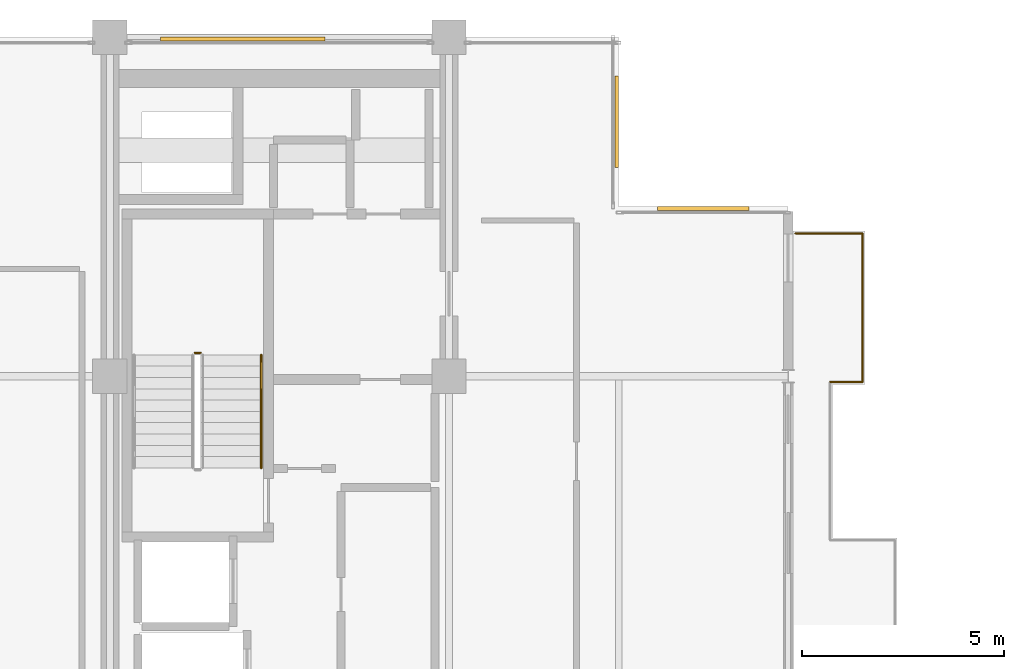
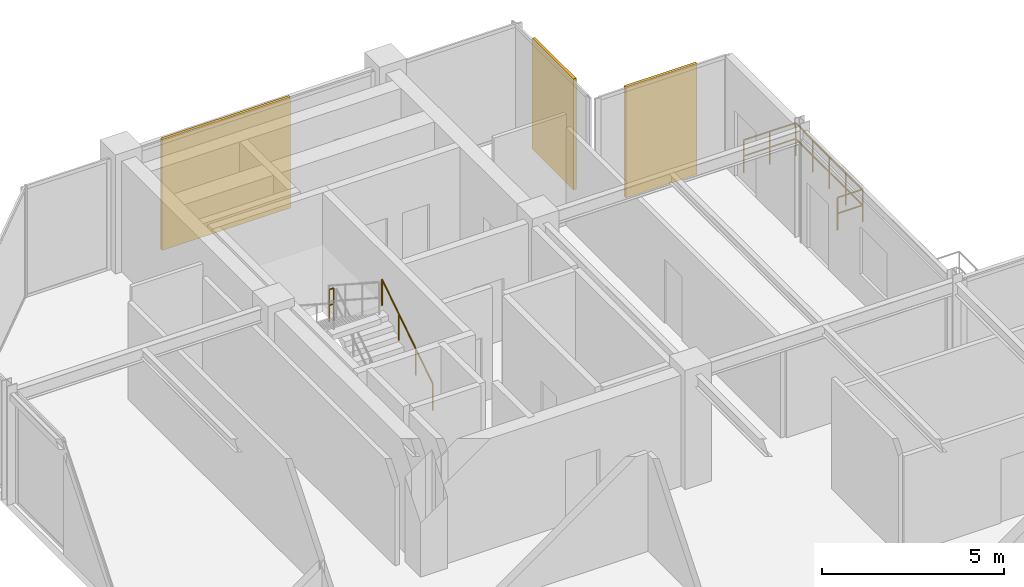
# One storey, part 26 of 26: 5 railings, 3 coverings.
"""IFC4 building model written with IfcOpenShell, lengths in metres."""

from ifc_helpers import new_model, si_unit, direction, frame, origin, origin_2d, place, context, subcontext, project, spatial, rectangle, circle, extrude, material, layer, layer_set, type_object, element, save


model = new_model("IFC4")

# Units and contexts
model_context = context("Model", 3, precision=1e-05, world=origin(), true_north=direction((0.0, 1.0)))
body_context = subcontext(model_context, "Body", "Model", "MODEL_VIEW")
ifc_project = project(units=[si_unit("LENGTHUNIT", "METRE"), si_unit("AREAUNIT", "SQUARE_METRE"), si_unit("VOLUMEUNIT", "CUBIC_METRE"), si_unit("PLANEANGLEUNIT", "RADIAN"), si_unit("MASSUNIT", "GRAM", prefix="KILO")], contexts=[model_context])

# Site, building, storey
site_placement = place(None, origin())
site = spatial("IfcSite", under=ifc_project, at=site_placement, CompositionType="ELEMENT")
building_placement = place(site_placement, origin())
building = spatial("IfcBuilding", under=site, at=building_placement, Name="Nerrivon Quay Data Exchange", CompositionType="ELEMENT")
storey_placement = place(building_placement, frame((0.0, 0.0, 262.199951171875)))
storey = spatial("IfcBuildingStorey", under=building, at=storey_placement, Name="L62", CompositionType="ELEMENT", Elevation=262.199951171875)

# Coverings
ifc_material_1 = material(Name="Architectural terracotta ceramic", Category="masonry")
ifc_layer = layer(ifc_material_1, 0.090087890625)
ifc_layer_set = layer_set([ifc_layer], Name="Architectural terracotta ceramic")
covering_type = type_object("IfcCoveringType", Name="COV-SCR-TERR", PredefinedType="CLADDING", material=ifc_layer_set)
covering_placement = place(storey_placement, frame((11.694091796875, 41.955078125, 0.0), z_axis=(0.0, 0.0, 1.0), x_axis=(1.0, 0.0, 0.0)))
element("IfcCovering", 1, at=covering_placement, inside=storey, type_object=covering_type, Name="L62 Perforated Terracotta SOLAR SCREEN Cassette", PredefinedType="CLADDING", context=body_context, shape_type="SweptSolid", body=[
    extrude(rectangle(XDim=4.076904296875, YDim=0.090087890625, at=origin_2d()), origin(), (0.0, 0.0, 1.0), 3.72509765625),
])
for number, where, z_axis, x_axis, name in (
    (2, (20.955078125, 39.89990234375, 0.0), (0.0, 0.0, 1.0), (0.0, -1.0, 0.0), "L62 Perforated Terracotta SOLAR SCREEN Cassette"),
    (3, (23.10009765625, 37.7548828125, 0.0), (0.0, 0.0, 1.0), (1.0, 0.0, 0.0), "L62 Perforated Terracotta SOLAR SCREEN Cassette"),
):
    element("IfcCovering", number, at=place(storey_placement, frame(where, z_axis=z_axis, x_axis=x_axis)), inside=storey, type_object=covering_type, Name=name, PredefinedType="CLADDING", context=body_context, shape_type="SweptSolid", body=[
        extrude(rectangle(XDim=2.26806640625, YDim=0.090087890625, at=origin_2d()), origin(), (0.0, 0.0, 1.0), 3.72509765625),
    ])

# Railings
ifc_material_2 = material(Name="Steel Grade C350L0 (350 MPa)", Category="steel")
railing_type_1 = type_object("IfcRailingType", Name="RAIL-GUARD-GR2", PredefinedType="BALUSTRADE", material=ifc_material_2)
railing_1_placement = place(storey_placement, frame((25.3798828125, 37.139892578125, 0.0)))
element("IfcRailing", 4, at=railing_1_placement, inside=storey, type_object=railing_type_1, Name="L62 Verandah Balcony Guard 1.4 1", PredefinedType="BALUSTRADE", context=body_context, shape_type="SweptSolid", body=[
    extrude(circle(Radius=0.02392578125, at=origin_2d()), frame((0.0, 0.0, 1.09619140625), z_axis=(1.0, 0.0, 0.0), x_axis=(0.0, 1.0, 0.0)), (0.0, 0.0, 1.0), 1.66015625),
    extrude(circle(Radius=0.02392578125, at=origin_2d()), frame((0.0, 0.0, 0.56005859375), z_axis=(1.0, 0.0, 0.0), x_axis=(0.0, 1.0, 0.0)), (0.0, 0.0, 1.0), 1.66015625),
    extrude(circle(Radius=0.02099609375, at=origin_2d()), origin(), (0.0, 0.0, 1.0), 1.072021484375),
    extrude(circle(Radius=0.02099609375, at=origin_2d()), frame((0.830078125, 0.0, 0.0)), (0.0, 0.0, 1.0), 1.072021484375),
    extrude(circle(Radius=0.02099609375, at=origin_2d()), frame((1.66015625, 0.0, 0.0)), (0.0, 0.0, 1.0), 1.072021484375),
])
railing_2_placement = place(storey_placement, frame((27.0400390625, 37.139892578125, 0.0)))
element("IfcRailing", 5, at=railing_2_placement, inside=storey, type_object=railing_type_1, Name="L62 Verandah Balcony Guard 1.5 1", PredefinedType="BALUSTRADE", context=body_context, shape_type="SweptSolid", body=[
    extrude(circle(Radius=0.02392578125, at=origin_2d()), frame((0.0, 0.0, 1.09619140625), z_axis=(0.0, -1.0, 0.0), x_axis=(1.0, 0.0, 0.0)), (0.0, 0.0, 1.0), 3.679931640625),
    extrude(circle(Radius=0.02392578125, at=origin_2d()), frame((0.0, 0.0, 0.56005859375), z_axis=(0.0, -1.0, 0.0), x_axis=(1.0, 0.0, 0.0)), (0.0, 0.0, 1.0), 3.679931640625),
    extrude(circle(Radius=0.02099609375, at=origin_2d()), origin(), (0.0, 0.0, 1.0), 1.072021484375),
    extrude(circle(Radius=0.02099609375, at=origin_2d()), frame((0.0, -0.919921875, 0.0)), (0.0, 0.0, 1.0), 1.072021484375),
    extrude(circle(Radius=0.02099609375, at=origin_2d()), frame((0.0, -1.83984375, 0.0)), (0.0, 0.0, 1.0), 1.072021484375),
    extrude(circle(Radius=0.02099609375, at=origin_2d()), frame((0.0, -2.760009765625, 0.0)), (0.0, 0.0, 1.0), 1.072021484375),
    extrude(circle(Radius=0.02099609375, at=origin_2d()), frame((0.0, -3.679931640625, 0.0)), (0.0, 0.0, 1.0), 1.072021484375),
])
railing_3_placement = place(storey_placement, frame((27.0400390625, 33.4599609375, 0.0)))
element("IfcRailing", 6, at=railing_3_placement, inside=storey, type_object=railing_type_1, Name="L62 Verandah Balcony Guard 1.6 1", PredefinedType="BALUSTRADE", context=body_context, shape_type="SweptSolid", body=[
    extrude(circle(Radius=0.02392578125, at=origin_2d()), frame((0.0, 0.0, 1.09619140625), z_axis=(-1.0, 0.0, 0.0), x_axis=(0.0, -1.0, 0.0)), (0.0, 0.0, 1.0), 0.800048828125),
    extrude(circle(Radius=0.02392578125, at=origin_2d()), frame((0.0, 0.0, 0.56005859375), z_axis=(-1.0, 0.0, 0.0), x_axis=(0.0, -1.0, 0.0)), (0.0, 0.0, 1.0), 0.800048828125),
    extrude(circle(Radius=0.02099609375, at=origin_2d()), origin(), (0.0, 0.0, 1.0), 1.072021484375),
    extrude(circle(Radius=0.02099609375, at=origin_2d()), frame((-0.800048828125, 0.0, 0.0)), (0.0, 0.0, 1.0), 1.072021484375),
])
railing_type_2 = type_object("IfcRailingType", Name="RAIL-HAND-HR1", PredefinedType="HANDRAIL", material=ifc_material_2)
railing_4_placement = place(storey_placement, frame((12.14990234375, 31.330078125, 0.181884765625)))
element("IfcRailing", 7, at=railing_4_placement, inside=storey, type_object=railing_type_2, Name="L62 ST01 stair handrail 1", PredefinedType="HANDRAIL", context=body_context, shape_type="SweptSolid", body=[
    extrude(circle(Radius=0.02392578125, at=origin_2d()), frame((0.0, 0.0, 0.8759765625), z_axis=(0.0, 0.83868413941, 0.544618136222), x_axis=(-1.0, 0.0, 0.0)), (0.0, 0.0, 1.0), 3.33837890625),
    extrude(circle(Radius=0.02099609375, at=origin_2d()), origin(), (0.0, 0.0, 1.0), 0.851806640625),
    extrude(circle(Radius=0.02099609375, at=origin_2d()), frame((0.0, 0.933349609375, 0.60595703125)), (0.0, 0.0, 1.0), 0.851806640625),
    extrude(circle(Radius=0.02099609375, at=origin_2d()), frame((0.0, 1.866455078125, 1.212158203125)), (0.0, 0.0, 1.0), 0.851806640625),
    extrude(circle(Radius=0.02099609375, at=origin_2d()), frame((0.0, 2.7998046875, 1.818115234375)), (0.0, 0.0, 1.0), 0.851806640625),
])
railing_type_3 = type_object("IfcRailingType", Name="RAIL-STAIR-GR1", PredefinedType="BALUSTRADE", material=ifc_material_2)
railing_5_placement = place(storey_placement, frame((10.64990234375, 34.179931640625, 2.0)))
element("IfcRailing", 8, at=railing_5_placement, inside=storey, type_object=railing_type_3, Name="L62 ST01 stair guard 2", PredefinedType="BALUSTRADE", context=body_context, shape_type="SweptSolid", body=[
    extrude(circle(Radius=0.02392578125, at=origin_2d()), frame((0.0, 0.0, 1.076171875), z_axis=(-1.0, 0.0, 0.0), x_axis=(0.0, -1.0, 0.0)), (0.0, 0.0, 1.0), 0.14990234375),
    extrude(circle(Radius=0.02392578125, at=origin_2d()), frame((0.0, 0.0, 0.550048828125), z_axis=(-1.0, 0.0, 0.0), x_axis=(0.0, -1.0, 0.0)), (0.0, 0.0, 1.0), 0.14990234375),
    extrude(circle(Radius=0.02099609375, at=origin_2d()), origin(), (0.0, 0.0, 1.0), 1.052001953125),
    extrude(circle(Radius=0.02099609375, at=origin_2d()), frame((-0.14990234375, 0.0, 0.0)), (0.0, 0.0, 1.0), 1.052001953125),
])

save(model, "model.ifc")
